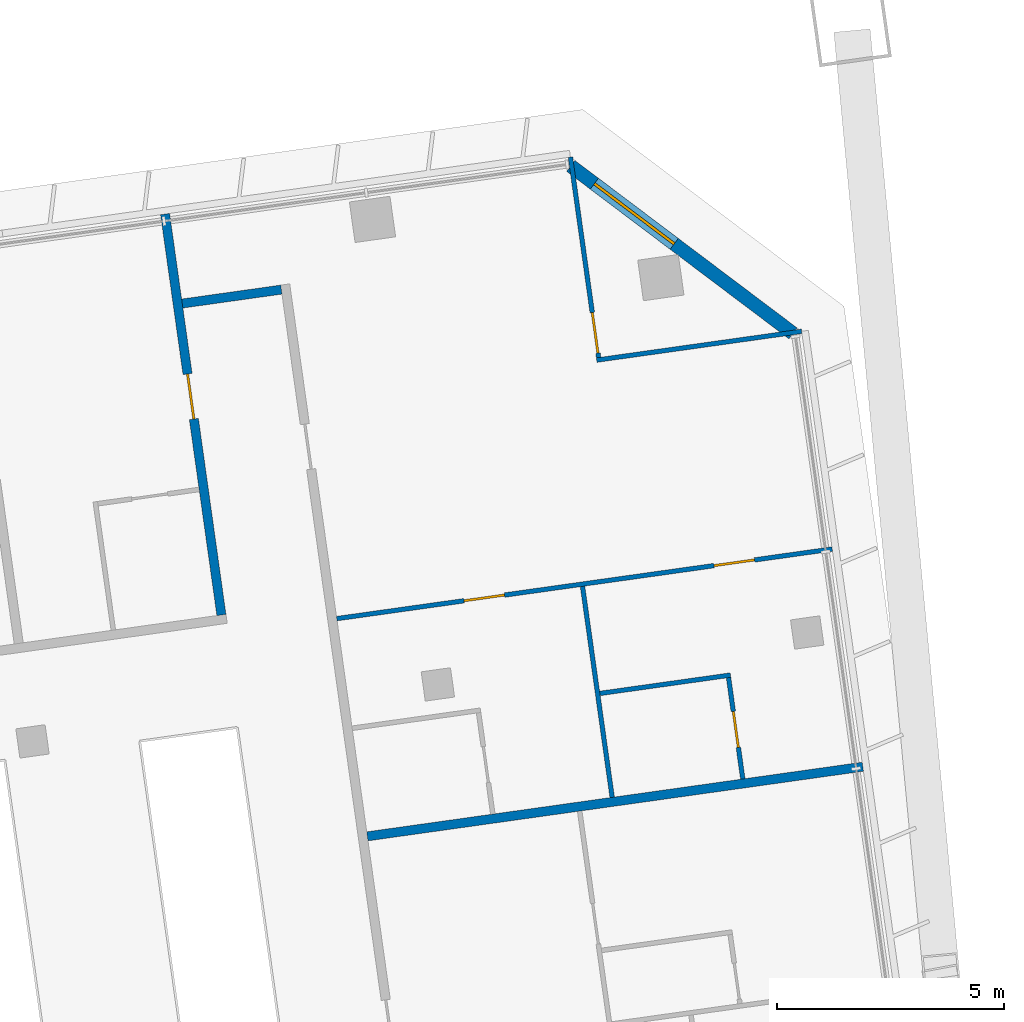
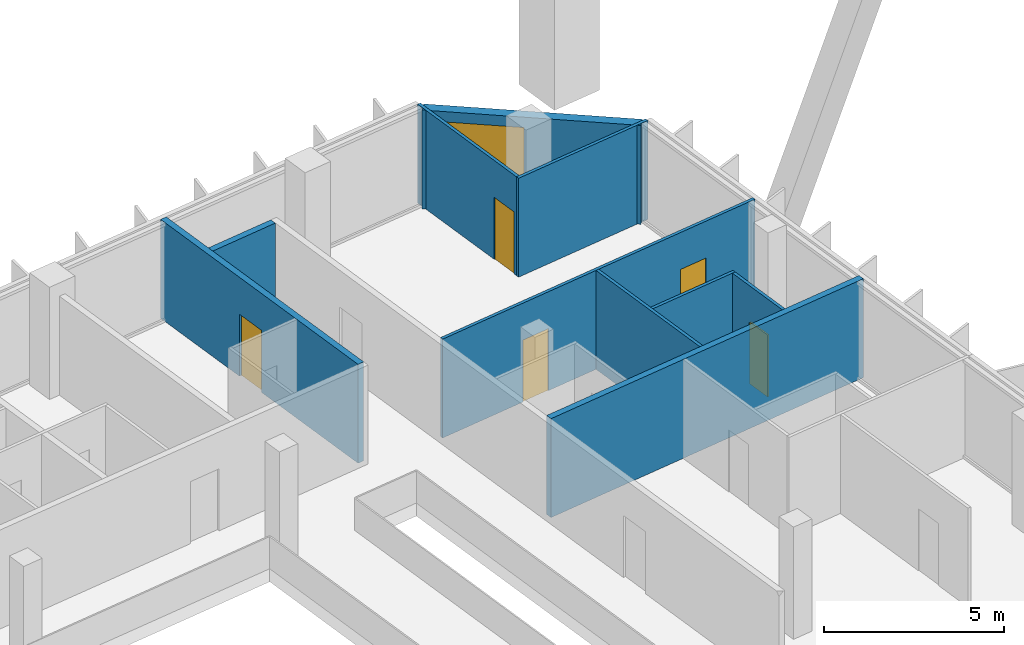
# One storey, part 30 of 33: 10 walls, 5 doors, 1 window, 6 openings.
"""IFC4 building model written with IfcOpenShell, lengths in metres."""

from ifc_helpers import new_model, si_unit, direction, frame, frame_2d, origin, place, context, subcontext, project, spatial, rectangle, extrude, material, layer, layer_set, type_object, element, fill, save


model = new_model("IFC4")

# Units and contexts
model_context = context("Model", 3, precision=1e-05, world=origin(), true_north=direction((0.0, 1.0)))
body_context = subcontext(model_context, "Body", "Model", "MODEL_VIEW")
ifc_project = project(units=[si_unit("LENGTHUNIT", "METRE"), si_unit("AREAUNIT", "SQUARE_METRE"), si_unit("VOLUMEUNIT", "CUBIC_METRE"), si_unit("PLANEANGLEUNIT", "RADIAN"), si_unit("MASSUNIT", "GRAM", prefix="KILO")], contexts=[model_context])

# Site, building, storey
site_placement = place(None, origin())
site = spatial("IfcSite", under=ifc_project, at=site_placement, CompositionType="ELEMENT")
building_placement = place(site_placement, origin())
building = spatial("IfcBuilding", under=site, at=building_placement, Name="Mirante Cascada Hotel Towers", CompositionType="ELEMENT")
storey_placement = place(building_placement, frame((0.0, 0.0, 121.5)))
storey = spatial("IfcBuildingStorey", under=building, at=storey_placement, Name="L27", CompositionType="ELEMENT", Elevation=121.5)

# Walls
ifc_material_1 = material(Name="Fire-rated plasterboard on metal studs")
ifc_layer_1 = layer(ifc_material_1, 0.2)
ifc_layer_set_1 = layer_set([ifc_layer_1], Name="Compartment wall 200 EI 120")
wall_type_1 = type_object("IfcWallType", Name="Compartment wall 200 EI 120", PredefinedType="PARTITIONING", material=ifc_layer_set_1)
wall_1_placement = place(storey_placement, frame((100.6266, 12.8067, 0.0), z_axis=(0.0, 0.0, 1.0), x_axis=(-0.990268, -0.1391733, 0.0)))
element("IfcWall", 1, at=wall_1_placement, inside=storey, type_object=wall_type_1, Name="Wall 2-L27-09", PredefinedType="PARTITIONING", context=body_context, shape_type="SweptSolid", body=[
    extrude(rectangle(XDim=11.0, YDim=0.2, at=frame_2d((5.5, 0.0))), origin(), (0.0, 0.0, 1.0), 3.35),
])
wall_2_placement = place(storey_placement, frame((85.6638, 22.9901, 0.0), z_axis=(0.0, 0.0, 1.0), x_axis=(0.990267, 0.139181, 0.0)))
element("IfcWall", 2, at=wall_2_placement, inside=storey, type_object=wall_type_1, Name="Wall 2-L27-28", PredefinedType="PARTITIONING", context=body_context, shape_type="SweptSolid", body=[
    extrude(rectangle(XDim=2.2, YDim=0.2, at=frame_2d((1.1, 0.0))), origin(), (0.0, 0.0, 1.0), 3.35),
])

# Wall, opening, door
wall_3_placement = place(storey_placement, frame((85.2864, 24.9567, 0.0), z_axis=(0.0, 0.0, 1.0), x_axis=(0.1391684, -0.9902687, 0.0)))
wall_3 = element("IfcWall", 3, at=wall_3_placement, inside=storey, type_object=wall_type_1, Name="Wall 2-L27-55", PredefinedType="PARTITIONING", context=body_context, shape_type="SweptSolid", body=[
    extrude(rectangle(XDim=8.9, YDim=0.2, at=frame_2d((4.45, 0.0))), origin(), (0.0, 0.0, 1.0), 3.35),
])
opening_1_placement = place(wall_3_placement, frame((3.55, 0.0, 0.0)))
opening_1 = element("IfcOpeningElement", 4, at=opening_1_placement, cuts=wall_3, Name="Opening D2-L27-34", PredefinedType="OPENING", context=body_context, shape_type="SweptSolid", body=[
    extrude(rectangle(XDim=1.0, YDim=2.1, at=frame_2d((0.5, 1.05))), frame((0.0, 0.1, 0.0), z_axis=(0.0, -1.0, 0.0), x_axis=(1.0, 0.0, 0.0)), (0.0, 0.0, 1.0), 0.2),
])
ifc_material_2 = material(Name="Fire-rated timber door leaf", Category="wood")
door_type_1 = type_object("IfcDoorType", Name="Entrance door DG1 1000x2100 EI 60", OperationType="SINGLE_SWING_LEFT", PredefinedType="DOOR", material=ifc_material_2)
door_1_placement = place(opening_1_placement, frame((1.0, 0.0, 0.0), z_axis=(0.0, 0.0, 1.0), x_axis=(-1.0, 0.0, 0.0)))
door_1 = element("IfcDoor", 5, at=door_1_placement, inside=storey, type_object=door_type_1, Name="Door D2-L27-34", OperationType="SINGLE_SWING_RIGHT", OverallHeight=2.1, OverallWidth=1.0, PredefinedType="DOOR", context=body_context, shape_type="SweptSolid", body=[
    extrude(rectangle(XDim=1.0, YDim=2.1, at=frame_2d((0.5, 1.05))), frame((0.0, 0.025, 0.0), z_axis=(0.0, -1.0, 0.0), x_axis=(1.0, 0.0, 0.0)), (0.0, 0.0, 1.0), 0.05),
])
fill(opening_1, door_1)

# Wall
ifc_material_3 = material(Name="Plasterboard on metal studs")
ifc_layer_2 = layer(ifc_material_3, 0.1)
ifc_layer_set_2 = layer_set([ifc_layer_2], Name="Partition 100")
wall_type_2 = type_object("IfcWallType", Name="Partition 100", PredefinedType="PARTITIONING", material=ifc_layer_set_2)
wall_4_placement = place(storey_placement, frame((97.7179, 14.8215, 0.0), z_axis=(0.0, 0.0, 1.0), x_axis=(-0.9902683, -0.1391714, 0.0)))
element("IfcWall", 6, at=wall_4_placement, inside=storey, type_object=wall_type_2, Name="Wall 2-L27-13", PredefinedType="PARTITIONING", context=body_context, shape_type="SweptSolid", body=[
    extrude(rectangle(XDim=2.9, YDim=0.1, at=frame_2d((1.45, 0.0))), origin(), (0.0, 0.0, 1.0), 3.35),
])

# Wall, openings, doors
wall_5_placement = place(storey_placement, frame((99.954, 17.5931, 0.0), z_axis=(0.0, 0.0, 1.0), x_axis=(-0.9902682, -0.1391721, 0.0)))
wall_5 = element("IfcWall", 7, at=wall_5_placement, inside=storey, type_object=wall_type_2, Name="Wall 2-L27-15", PredefinedType="PARTITIONING", context=body_context, shape_type="SweptSolid", body=[
    extrude(rectangle(XDim=11.0001, YDim=0.1, at=frame_2d((5.5, 0.0))), origin(), (0.0, 0.0, 1.0), 3.35),
])
opening_2_placement = place(wall_5_placement, frame((7.275, 0.0, 0.0)))
opening_2 = element("IfcOpeningElement", 8, at=opening_2_placement, cuts=wall_5, Name="Opening D2-L27-07", PredefinedType="OPENING", context=body_context, shape_type="SweptSolid", body=[
    extrude(rectangle(XDim=0.9, YDim=2.1, at=frame_2d((0.45, 1.05))), frame((0.0, 0.05, 0.0), z_axis=(0.0, -1.0, 0.0), x_axis=(1.0, 0.0, 0.0)), (0.0, 0.0, 1.0), 0.1),
])
opening_3_placement = place(wall_5_placement, frame((1.725, 0.0, 0.0)))
opening_3 = element("IfcOpeningElement", 9, at=opening_3_placement, cuts=wall_5, Name="Opening D2-L27-08", PredefinedType="OPENING", context=body_context, shape_type="SweptSolid", body=[
    extrude(rectangle(XDim=0.9, YDim=2.1, at=frame_2d((0.45, 1.05))), frame((0.0, 0.05, 0.0), z_axis=(0.0, -1.0, 0.0), x_axis=(1.0, 0.0, 0.0)), (0.0, 0.0, 1.0), 0.1),
])
ifc_material_4 = material(Name="Timber door leaf", Category="wood")
door_type_2 = type_object("IfcDoorType", Name="Room door DG3 900x2100", OperationType="SINGLE_SWING_LEFT", PredefinedType="DOOR", material=ifc_material_4)
door_2_placement = place(opening_2_placement, frame((0.9, 0.0, 0.0), z_axis=(0.0, 0.0, 1.0), x_axis=(-1.0, 0.0, 0.0)))
door_2 = element("IfcDoor", 10, at=door_2_placement, inside=storey, type_object=door_type_2, Name="Door D2-L27-07", OperationType="SINGLE_SWING_RIGHT", OverallHeight=2.1, OverallWidth=0.9, PredefinedType="DOOR", context=body_context, shape_type="SweptSolid", body=[
    extrude(rectangle(XDim=0.9, YDim=2.1, at=frame_2d((0.45, 1.05))), frame((0.0, 0.025, 0.0), z_axis=(0.0, -1.0, 0.0), x_axis=(1.0, 0.0, 0.0)), (0.0, 0.0, 1.0), 0.05),
])
fill(opening_2, door_2)
door_3_placement = place(opening_3_placement, frame((0.9, 0.0, 0.0), z_axis=(0.0, 0.0, 1.0), x_axis=(-1.0, 0.0, 0.0)))
door_3 = element("IfcDoor", 11, at=door_3_placement, inside=storey, type_object=door_type_2, Name="Door D2-L27-08", OperationType="SINGLE_SWING_RIGHT", OverallHeight=2.1, OverallWidth=0.9, PredefinedType="DOOR", context=body_context, shape_type="SweptSolid", body=[
    extrude(rectangle(XDim=0.9, YDim=2.1, at=frame_2d((0.45, 1.05))), frame((0.0, 0.025, 0.0), z_axis=(0.0, -1.0, 0.0), x_axis=(1.0, 0.0, 0.0)), (0.0, 0.0, 1.0), 0.05),
])
fill(opening_3, door_3)

# Walls
wall_6_placement = place(storey_placement, frame((94.7756, 21.7461, 0.0), z_axis=(0.0, 0.0, 1.0), x_axis=(0.9902661, 0.1391871, 0.0)))
element("IfcWall", 12, at=wall_6_placement, inside=storey, type_object=wall_type_2, Name="Wall 2-L27-24", PredefinedType="PARTITIONING", context=body_context, shape_type="SweptSolid", body=[
    extrude(rectangle(XDim=4.55, YDim=0.1, at=frame_2d((2.275, 0.0))), origin(), (0.0, 0.0, 1.0), 3.35),
])
wall_7_placement = place(storey_placement, frame((94.4649, 16.7712, 0.0), z_axis=(0.0, 0.0, 1.0), x_axis=(0.1391701, -0.9902685, 0.0)))
element("IfcWall", 13, at=wall_7_placement, inside=storey, type_object=wall_type_2, Name="Wall 2-L27-59", PredefinedType="PARTITIONING", context=body_context, shape_type="SweptSolid", body=[
    extrude(rectangle(XDim=4.6835, YDim=0.1, at=frame_2d((2.3418, 0.0))), origin(), (0.0, 0.0, 1.0), 3.35),
])

# Wall, opening, door
wall_8_placement = place(storey_placement, frame((94.1988, 26.2093, 0.0), z_axis=(0.0, 0.0, 1.0), x_axis=(0.1391684, -0.9902687, 0.0)))
wall_8 = element("IfcWall", 14, at=wall_8_placement, inside=storey, type_object=wall_type_2, Name="Wall 2-L27-61", PredefinedType="PARTITIONING", context=body_context, shape_type="SweptSolid", body=[
    extrude(rectangle(XDim=4.45, YDim=0.1, at=frame_2d((2.225, 0.0))), origin(), (0.0, 0.0, 1.0), 3.35),
])
opening_4_placement = place(wall_8_placement, frame((3.45, 0.0, 0.0)))
opening_4 = element("IfcOpeningElement", 15, at=opening_4_placement, cuts=wall_8, Name="Opening D2-L27-40", PredefinedType="OPENING", context=body_context, shape_type="SweptSolid", body=[
    extrude(rectangle(XDim=0.9, YDim=2.1, at=frame_2d((0.45, 1.05))), frame((0.0, 0.05, 0.0), z_axis=(0.0, -1.0, 0.0), x_axis=(1.0, 0.0, 0.0)), (0.0, 0.0, 1.0), 0.1),
])
door_4_placement = place(opening_4_placement, frame((0.9, 0.0, 0.0), z_axis=(0.0, 0.0, 1.0), x_axis=(-1.0, 0.0, 0.0)))
door_4 = element("IfcDoor", 16, at=door_4_placement, inside=storey, type_object=door_type_2, Name="Door D2-L27-40", OperationType="SINGLE_SWING_RIGHT", OverallHeight=2.1, OverallWidth=0.9, PredefinedType="DOOR", context=body_context, shape_type="SweptSolid", body=[
    extrude(rectangle(XDim=0.9, YDim=2.1, at=frame_2d((0.45, 1.05))), frame((0.0, 0.025, 0.0), z_axis=(0.0, -1.0, 0.0), x_axis=(1.0, 0.0, 0.0)), (0.0, 0.0, 1.0), 0.05),
])
fill(opening_4, door_4)

wall_9_placement = place(storey_placement, frame((97.6754, 14.765, 0.0), z_axis=(0.0, 0.0, 1.0), x_axis=(0.1391561, -0.9902705, 0.0)))
wall_9 = element("IfcWall", 17, at=wall_9_placement, inside=storey, type_object=wall_type_2, Name="Wall 2-L27-63", PredefinedType="PARTITIONING", context=body_context, shape_type="SweptSolid", body=[
    extrude(rectangle(XDim=2.25, YDim=0.1, at=frame_2d((1.125, 0.0))), origin(), (0.0, 0.0, 1.0), 3.35),
])
opening_5_placement = place(wall_9_placement, frame((0.75, 0.0, 0.0)))
opening_5 = element("IfcOpeningElement", 18, at=opening_5_placement, cuts=wall_9, Name="Opening D2-L27-42", PredefinedType="OPENING", context=body_context, shape_type="SweptSolid", body=[
    extrude(rectangle(XDim=0.8, YDim=2.1, at=frame_2d((0.4, 1.05))), frame((0.0, 0.05, 0.0), z_axis=(0.0, -1.0, 0.0), x_axis=(1.0, 0.0, 0.0)), (0.0, 0.0, 1.0), 0.1),
])
ifc_material_5 = material(Name="Timber door leaf", Category="wood")
door_type_3 = type_object("IfcDoorType", Name="Bathroom door DG4 800x2100", OperationType="SINGLE_SWING_LEFT", PredefinedType="DOOR", material=ifc_material_5)
door_5_placement = place(opening_5_placement, frame((0.8, 0.0, 0.0), z_axis=(0.0, 0.0, 1.0), x_axis=(-1.0, 0.0, 0.0)))
door_5 = element("IfcDoor", 19, at=door_5_placement, inside=storey, type_object=door_type_3, Name="Door D2-L27-42", OperationType="SINGLE_SWING_RIGHT", OverallHeight=2.1, OverallWidth=0.8, PredefinedType="DOOR", context=body_context, shape_type="SweptSolid", body=[
    extrude(rectangle(XDim=0.8, YDim=2.1, at=frame_2d((0.4, 1.05))), frame((0.0, 0.025, 0.0), z_axis=(0.0, -1.0, 0.0), x_axis=(1.0, 0.0, 0.0)), (0.0, 0.0, 1.0), 0.05),
])
fill(opening_5, door_5)

# Wall, opening, window
ifc_material_6 = material(Name="Precast concrete C40/50", Category="concrete")
ifc_layer_3 = layer(ifc_material_6, 0.3)
ifc_layer_set_3 = layer_set([ifc_layer_3], Name="Precast concrete C40/50 cladding wall 300")
wall_type_3 = type_object("IfcWallType", Name="Precast concrete C40/50 cladding wall 300", PredefinedType="STANDARD", material=ifc_layer_set_3)
wall_10_placement = place(storey_placement, frame((99.0919, 22.3343, 0.0), z_axis=(0.0, 0.0, 1.0), x_axis=(-0.7986362, 0.6018141, 0.0)))
wall_10 = element("IfcWall", 20, at=wall_10_placement, inside=storey, type_object=wall_type_3, Name="Corner cladding wall T2 L27 outer front", PredefinedType="STANDARD", context=body_context, shape_type="SweptSolid", body=[
    extrude(rectangle(XDim=6.1157, YDim=0.3, at=frame_2d((3.0578, 0.0))), origin(), (0.0, 0.0, 1.0), 3.35),
])
opening_6_placement = place(wall_10_placement, frame((3.2692, 0.0, 0.6)))
opening_6 = element("IfcOpeningElement", 21, at=opening_6_placement, cuts=wall_10, Name="Opening W2-27-04", PredefinedType="OPENING", context=body_context, shape_type="SweptSolid", body=[
    extrude(rectangle(XDim=2.2, YDim=2.4, at=frame_2d((1.1, 1.2))), frame((0.0, 0.15, 0.0), z_axis=(0.0, -1.0, 0.0), x_axis=(1.0, 0.0, 0.0)), (0.0, 0.0, 1.0), 0.3),
])
ifc_material_7 = material(Name="Aluminium frame with clear double glazing", Category="aluminium")
window_type = type_object("IfcWindowType", Name="Corner suite window 2200x2400", PartitioningType="DOUBLE_PANEL_VERTICAL", PredefinedType="WINDOW", material=ifc_material_7)
window_placement = place(opening_6_placement, origin())
window = element("IfcWindow", 22, at=window_placement, inside=storey, type_object=window_type, Name="Window W2-27-04", OverallHeight=2.4, OverallWidth=2.2, PartitioningType="SINGLE_PANEL", PredefinedType="WINDOW", context=body_context, shape_type="SweptSolid", body=[
    extrude(rectangle(XDim=2.2, YDim=2.4, at=frame_2d((1.1, 1.2))), frame((0.0, 0.03, 0.0), z_axis=(0.0, -1.0, 0.0), x_axis=(1.0, 0.0, 0.0)), (0.0, 0.0, 1.0), 0.06),
])
fill(opening_6, window)

save(model, "model.ifc")
